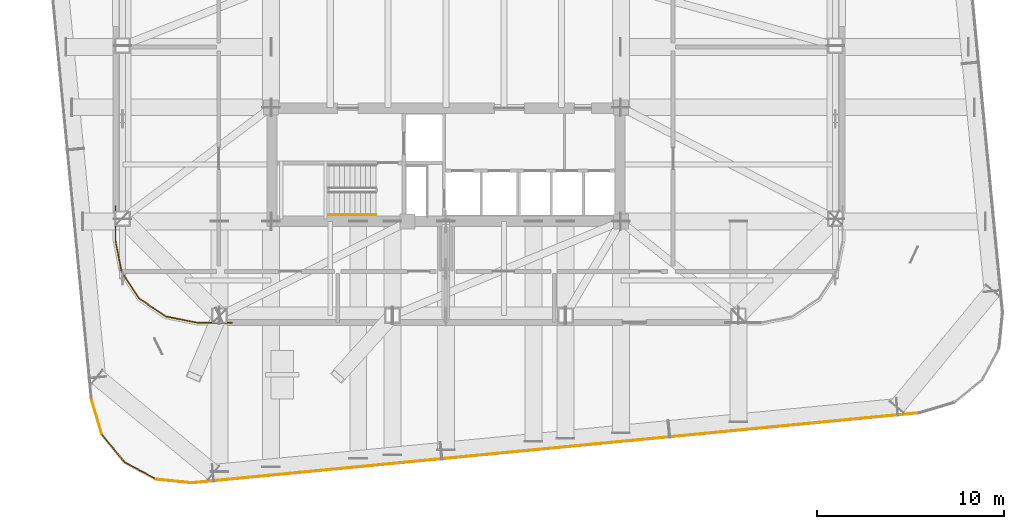
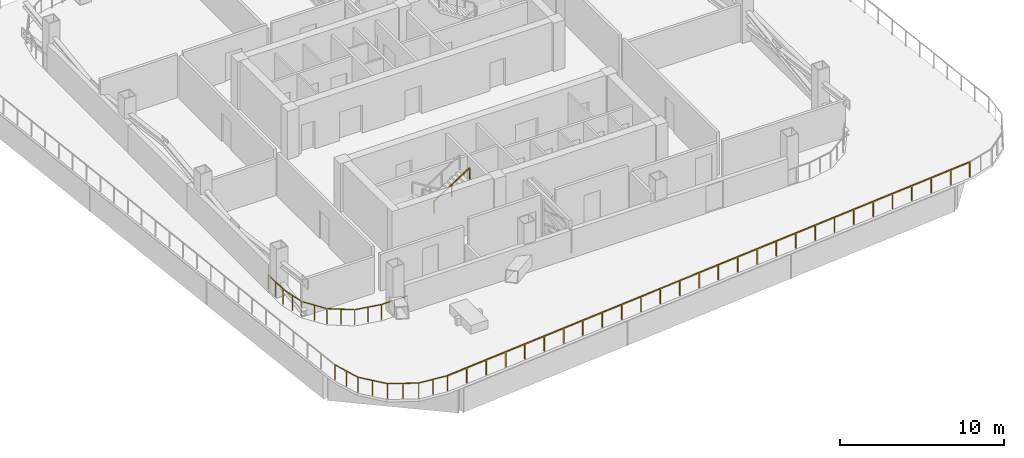
# One storey, part 11 of 15: 7 railings.
"""IFC4 building model written with IfcOpenShell, lengths in metres."""

from ifc_helpers import new_model, si_unit, direction, frame, origin, origin_2d, place, context, subcontext, project, spatial, rectangle, extrude, material, type_object, element, save


model = new_model("IFC4")

# Units and contexts
model_context = context("Model", 3, precision=1e-05, world=origin(), true_north=direction((0.0, 1.0)))
body_context = subcontext(model_context, "Body", "Model", "MODEL_VIEW")
ifc_project = project(units=[si_unit("LENGTHUNIT", "METRE"), si_unit("AREAUNIT", "SQUARE_METRE"), si_unit("VOLUMEUNIT", "CUBIC_METRE"), si_unit("PLANEANGLEUNIT", "RADIAN"), si_unit("MASSUNIT", "GRAM", prefix="KILO")], contexts=[model_context])

# Site, building, storey
site_placement = place(None, origin())
site = spatial("IfcSite", under=ifc_project, at=site_placement, CompositionType="ELEMENT")
building_placement = place(site_placement, origin())
building = spatial("IfcBuilding", under=site, at=building_placement, Name="Qhalaya Broadcast Tower", CompositionType="ELEMENT")
storey_placement = place(building_placement, frame((0.0, 0.0, 101.25)))
storey = spatial("IfcBuildingStorey", under=building, at=storey_placement, Name="L29", CompositionType="ELEMENT", Elevation=101.25)

# Railings
ifc_material = material(Name="Powder-Coated Galvanised Steel", Category="steel")
railing_type_1 = type_object("IfcRailingType", Name="Stair Wall Handrail 900", PredefinedType="HANDRAIL", material=ifc_material)
railing_1_placement = place(storey_placement, frame((-6.27001953125, -8.389892578125, 1.97998046875)))
element("IfcRailing", 1, at=railing_1_placement, inside=storey, type_object=railing_type_1, Name="L29 ST-2 Stair Handrail 2", PredefinedType="HANDRAIL", context=body_context, shape_type="SweptSolid", body=[
    extrude(rectangle(XDim=0.048095703125, YDim=0.048095703125, at=origin_2d()), frame((0.0, 0.0, 0.8759765625), z_axis=(0.841162588446, 0.0, 0.540782303519), x_axis=(0.0, 1.0, 0.0)), (0.0, 0.0, 1.0), 2.995849609375),
    extrude(rectangle(XDim=0.0419921875, YDim=0.0419921875, at=origin_2d()), origin(), (0.0, 0.0, 1.0), 0.849853515625),
    extrude(rectangle(XDim=0.0419921875, YDim=0.0419921875, at=origin_2d()), frame((1.260009765625, 0.0, 0.81005859375)), (0.0, 0.0, 1.0), 0.849853515625),
    extrude(rectangle(XDim=0.0419921875, YDim=0.0419921875, at=origin_2d()), frame((2.52001953125, 0.0, 1.6201171875)), (0.0, 0.0, 1.0), 0.849853515625),
])
railing_type_2 = type_object("IfcRailingType", Name="Terrace, Sky-Pool & Lookout Glass Balustrade 1150", PredefinedType="BALUSTRADE", material=ifc_material)
railing_2_placement = place(storey_placement, frame((25.39208984375, -18.9892578125, 0.0)))
element("IfcRailing", 2, at=railing_2_placement, inside=storey, type_object=railing_type_2, Name="L29 Perimeter Safety Balustrade BAL-TER1-01", PredefinedType="BALUSTRADE", context=body_context, shape_type="SweptSolid", body=[
    extrude(rectangle(XDim=0.048095703125, YDim=0.048095703125, at=origin_2d()), frame((0.0, 0.0, 1.1259765625), z_axis=(-0.9953962806, -0.095844898501, 0.0), x_axis=(0.095844898501, -0.9953962806, 0.0)), (0.0, 0.0, 1.0), 39.184326171875),
    extrude(rectangle(XDim=0.0419921875, YDim=0.0419921875, at=origin_2d()), origin(), (0.0, 0.0, 1.0), 1.099853515625),
    extrude(rectangle(XDim=0.0419921875, YDim=0.0419921875, at=origin_2d()), frame((-1.444580078125, -0.13916015625, 0.0)), (0.0, 0.0, 1.0), 1.099853515625),
    extrude(rectangle(XDim=0.0419921875, YDim=0.0419921875, at=origin_2d()), frame((-2.88916015625, -0.278076171875, 0.0)), (0.0, 0.0, 1.0), 1.099853515625),
    extrude(rectangle(XDim=0.0419921875, YDim=0.0419921875, at=origin_2d()), frame((-4.333740234375, -0.417236328125, 0.0)), (0.0, 0.0, 1.0), 1.099853515625),
    extrude(rectangle(XDim=0.0419921875, YDim=0.0419921875, at=origin_2d()), frame((-5.7783203125, -0.556396484375, 0.0)), (0.0, 0.0, 1.0), 1.099853515625),
    extrude(rectangle(XDim=0.0419921875, YDim=0.0419921875, at=origin_2d()), frame((-7.222900390625, -0.695556640625, 0.0)), (0.0, 0.0, 1.0), 1.099853515625),
    extrude(rectangle(XDim=0.0419921875, YDim=0.0419921875, at=origin_2d()), frame((-8.66748046875, -0.83447265625, 0.0)), (0.0, 0.0, 1.0), 1.099853515625),
    extrude(rectangle(XDim=0.0419921875, YDim=0.0419921875, at=origin_2d()), frame((-10.112060546875, -0.9736328125, 0.0)), (0.0, 0.0, 1.0), 1.099853515625),
    extrude(rectangle(XDim=0.0419921875, YDim=0.0419921875, at=origin_2d()), frame((-11.556640625, -1.11279296875, 0.0)), (0.0, 0.0, 1.0), 1.099853515625),
    extrude(rectangle(XDim=0.0419921875, YDim=0.0419921875, at=origin_2d()), frame((-13.001220703125, -1.251953125, 0.0)), (0.0, 0.0, 1.0), 1.099853515625),
    extrude(rectangle(XDim=0.0419921875, YDim=0.0419921875, at=origin_2d()), frame((-14.44580078125, -1.390869140625, 0.0)), (0.0, 0.0, 1.0), 1.099853515625),
    extrude(rectangle(XDim=0.0419921875, YDim=0.0419921875, at=origin_2d()), frame((-15.890380859375, -1.530029296875, 0.0)), (0.0, 0.0, 1.0), 1.099853515625),
    extrude(rectangle(XDim=0.0419921875, YDim=0.0419921875, at=origin_2d()), frame((-17.3349609375, -1.669189453125, 0.0)), (0.0, 0.0, 1.0), 1.099853515625),
    extrude(rectangle(XDim=0.0419921875, YDim=0.0419921875, at=origin_2d()), frame((-18.779541015625, -1.808349609375, 0.0)), (0.0, 0.0, 1.0), 1.099853515625),
    extrude(rectangle(XDim=0.0419921875, YDim=0.0419921875, at=origin_2d()), frame((-20.224365234375, -1.947265625, 0.0)), (0.0, 0.0, 1.0), 1.099853515625),
    extrude(rectangle(XDim=0.0419921875, YDim=0.0419921875, at=origin_2d()), frame((-21.6689453125, -2.08642578125, 0.0)), (0.0, 0.0, 1.0), 1.099853515625),
    extrude(rectangle(XDim=0.0419921875, YDim=0.0419921875, at=origin_2d()), frame((-23.113525390625, -2.2255859375, 0.0)), (0.0, 0.0, 1.0), 1.099853515625),
    extrude(rectangle(XDim=0.0419921875, YDim=0.0419921875, at=origin_2d()), frame((-24.55810546875, -2.36474609375, 0.0)), (0.0, 0.0, 1.0), 1.099853515625),
    extrude(rectangle(XDim=0.0419921875, YDim=0.0419921875, at=origin_2d()), frame((-26.002685546875, -2.503662109375, 0.0)), (0.0, 0.0, 1.0), 1.099853515625),
    extrude(rectangle(XDim=0.0419921875, YDim=0.0419921875, at=origin_2d()), frame((-27.447265625, -2.642822265625, 0.0)), (0.0, 0.0, 1.0), 1.099853515625),
    extrude(rectangle(XDim=0.0419921875, YDim=0.0419921875, at=origin_2d()), frame((-28.891845703125, -2.781982421875, 0.0)), (0.0, 0.0, 1.0), 1.099853515625),
    extrude(rectangle(XDim=0.0419921875, YDim=0.0419921875, at=origin_2d()), frame((-30.33642578125, -2.921142578125, 0.0)), (0.0, 0.0, 1.0), 1.099853515625),
    extrude(rectangle(XDim=0.0419921875, YDim=0.0419921875, at=origin_2d()), frame((-31.781005859375, -3.06005859375, 0.0)), (0.0, 0.0, 1.0), 1.099853515625),
    extrude(rectangle(XDim=0.0419921875, YDim=0.0419921875, at=origin_2d()), frame((-33.2255859375, -3.19921875, 0.0)), (0.0, 0.0, 1.0), 1.099853515625),
    extrude(rectangle(XDim=0.0419921875, YDim=0.0419921875, at=origin_2d()), frame((-34.670166015625, -3.33837890625, 0.0)), (0.0, 0.0, 1.0), 1.099853515625),
    extrude(rectangle(XDim=0.0419921875, YDim=0.0419921875, at=origin_2d()), frame((-36.11474609375, -3.4775390625, 0.0)), (0.0, 0.0, 1.0), 1.099853515625),
    extrude(rectangle(XDim=0.0419921875, YDim=0.0419921875, at=origin_2d()), frame((-37.559326171875, -3.616455078125, 0.0)), (0.0, 0.0, 1.0), 1.099853515625),
    extrude(rectangle(XDim=0.0419921875, YDim=0.0419921875, at=origin_2d()), frame((-39.00390625, -3.755615234375, 0.0)), (0.0, 0.0, 1.0), 1.099853515625),
])
railing_3_placement = place(storey_placement, frame((-13.61181640625, -22.744873046875, 0.0)))
element("IfcRailing", 3, at=railing_3_placement, inside=storey, type_object=railing_type_2, Name="L29 Perimeter Safety Balustrade BAL-TER1-02", PredefinedType="BALUSTRADE", context=body_context, shape_type="SweptSolid", body=[
    extrude(rectangle(XDim=0.048095703125, YDim=0.048095703125, at=origin_2d()), frame((0.0, 0.0, 1.1259765625), z_axis=(-0.994979325079, 0.100080680776, 0.0), x_axis=(-0.100080680776, -0.994979325079, 0.0)), (0.0, 0.0, 1.0), 1.92724609375),
    extrude(rectangle(XDim=0.0419921875, YDim=0.0419921875, at=origin_2d()), origin(), (0.0, 0.0, 1.0), 1.099853515625),
    extrude(rectangle(XDim=0.0419921875, YDim=0.0419921875, at=origin_2d()), frame((-0.958740234375, 0.096435546875, 0.0)), (0.0, 0.0, 1.0), 1.099853515625),
    extrude(rectangle(XDim=0.0419921875, YDim=0.0419921875, at=origin_2d()), frame((-1.91748046875, 0.19287109375, 0.0)), (0.0, 0.0, 1.0), 1.099853515625),
])
railing_4_placement = place(storey_placement, frame((-15.529296875, -22.552001953125, 0.0)))
element("IfcRailing", 4, at=railing_4_placement, inside=storey, type_object=railing_type_2, Name="L29 Perimeter Safety Balustrade BAL-TER1-03", PredefinedType="BALUSTRADE", context=body_context, shape_type="SweptSolid", body=[
    extrude(rectangle(XDim=0.048095703125, YDim=0.048095703125, at=origin_2d()), frame((0.0, 0.0, 1.1259765625), z_axis=(-0.880858878849, 0.473378955545, 0.0), x_axis=(-0.473378955545, -0.880858878849, 0.0)), (0.0, 0.0, 1.0), 1.919189453125),
    extrude(rectangle(XDim=0.0419921875, YDim=0.0419921875, at=origin_2d()), origin(), (0.0, 0.0, 1.0), 1.099853515625),
    extrude(rectangle(XDim=0.0419921875, YDim=0.0419921875, at=origin_2d()), frame((-0.84521484375, 0.4541015625, 0.0)), (0.0, 0.0, 1.0), 1.099853515625),
    extrude(rectangle(XDim=0.0419921875, YDim=0.0419921875, at=origin_2d()), frame((-1.6904296875, 0.908447265625, 0.0)), (0.0, 0.0, 1.0), 1.099853515625),
])
railing_5_placement = place(storey_placement, frame((-17.2197265625, -21.6435546875, 0.0)))
element("IfcRailing", 5, at=railing_5_placement, inside=storey, type_object=railing_type_2, Name="L29 Perimeter Safety Balustrade BAL-TER1-04", PredefinedType="BALUSTRADE", context=body_context, shape_type="SweptSolid", body=[
    extrude(rectangle(XDim=0.048095703125, YDim=0.048095703125, at=origin_2d()), frame((0.0, 0.0, 1.1259765625), z_axis=(-0.632683386092, 0.774410571314, 0.0), x_axis=(-0.774410571314, -0.632683386092, 0.0)), (0.0, 0.0, 1.0), 1.9189453125),
    extrude(rectangle(XDim=0.0419921875, YDim=0.0419921875, at=origin_2d()), origin(), (0.0, 0.0, 1.0), 1.099853515625),
    extrude(rectangle(XDim=0.0419921875, YDim=0.0419921875, at=origin_2d()), frame((-0.60693359375, 0.7431640625, 0.0)), (0.0, 0.0, 1.0), 1.099853515625),
    extrude(rectangle(XDim=0.0419921875, YDim=0.0419921875, at=origin_2d()), frame((-1.214111328125, 1.486083984375, 0.0)), (0.0, 0.0, 1.0), 1.099853515625),
])
railing_6_placement = place(storey_placement, frame((-18.433837890625, -20.157470703125, 0.0)))
element("IfcRailing", 6, at=railing_6_placement, inside=storey, type_object=railing_type_2, Name="L29 Perimeter Safety Balustrade BAL-TER1-05", PredefinedType="BALUSTRADE", context=body_context, shape_type="SweptSolid", body=[
    extrude(rectangle(XDim=0.048095703125, YDim=0.048095703125, at=origin_2d()), frame((0.0, 0.0, 1.1259765625), z_axis=(-0.288196177763, 0.957571388004, 0.0), x_axis=(-0.957571388004, -0.288196177763, 0.0)), (0.0, 0.0, 1.0), 1.92724609375),
    extrude(rectangle(XDim=0.0419921875, YDim=0.0419921875, at=origin_2d()), origin(), (0.0, 0.0, 1.0), 1.099853515625),
    extrude(rectangle(XDim=0.0419921875, YDim=0.0419921875, at=origin_2d()), frame((-0.27783203125, 0.9228515625, 0.0)), (0.0, 0.0, 1.0), 1.099853515625),
    extrude(rectangle(XDim=0.0419921875, YDim=0.0419921875, at=origin_2d()), frame((-0.555419921875, 1.845458984375, 0.0)), (0.0, 0.0, 1.0), 1.099853515625),
])
railing_7_placement = place(storey_placement, frame((-11.4619140625, -14.169921875, 0.0)))
element("IfcRailing", 7, at=railing_7_placement, inside=storey, type_object=railing_type_2, Name="L29 Rounded Corner Perimeter Guard 02", PredefinedType="BALUSTRADE", context=body_context, shape_type="SweptSolid", body=[
    extrude(rectangle(XDim=0.048095703125, YDim=0.048095703125, at=origin_2d()), frame((0.0, 0.0, 1.1259765625), z_axis=(-1.0, 0.0, 0.0), x_axis=(0.0, -1.0, 0.0)), (0.0, 0.0, 1.0), 1.827392578125),
    extrude(rectangle(XDim=0.048095703125, YDim=0.048095703125, at=origin_2d()), frame((-1.884521484375, 0.005615234375, 1.1259765625), z_axis=(-0.980803832953, 0.194997028864, 0.0), x_axis=(-0.194997028864, -0.980803832953, 0.0)), (0.0, 0.0, 1.0), 1.66259765625),
    extrude(rectangle(XDim=0.048095703125, YDim=0.048095703125, at=origin_2d()), frame((-3.5673828125, 0.3515625, 1.1259765625), z_axis=(-0.831456085426, 0.555590476887, 0.0), x_axis=(-0.555590476887, -0.831456085426, 0.0)), (0.0, 0.0, 1.0), 1.650390625),
    extrude(rectangle(XDim=0.048095703125, YDim=0.048095703125, at=origin_2d()), frame((-4.979736328125, 1.308349609375, 1.1259765625), z_axis=(-0.555590476887, 0.831456085426, 0.0), x_axis=(-0.831456085426, -0.555590476887, 0.0)), (0.0, 0.0, 1.0), 1.650390625),
    extrude(rectangle(XDim=0.048095703125, YDim=0.048095703125, at=origin_2d()), frame((-5.918212890625, 2.73291015625, 1.1259765625), z_axis=(-0.195024175165, 0.980798435511, 0.0), x_axis=(-0.980798435511, -0.195024175165, 0.0)), (0.0, 0.0, 1.0), 1.662353515625),
    extrude(rectangle(XDim=0.048095703125, YDim=0.048095703125, at=origin_2d()), frame((-6.248046875, 4.42041015625, 1.1259765625), z_axis=(0.0, 1.0, 0.0), x_axis=(-1.0, 0.0, 0.0)), (0.0, 0.0, 1.0), 1.827392578125),
    extrude(rectangle(XDim=0.0419921875, YDim=0.0419921875, at=origin_2d()), origin(), (0.0, 0.0, 1.0), 1.099853515625),
    extrude(rectangle(XDim=0.0419921875, YDim=0.0419921875, at=origin_2d()), frame((-0.92822265625, 0.0, 0.0)), (0.0, 0.0, 1.0), 1.099853515625),
    extrude(rectangle(XDim=0.0419921875, YDim=0.0419921875, at=origin_2d()), frame((-1.856201171875, 0.0, 0.0)), (0.0, 0.0, 1.0), 1.099853515625),
    extrude(rectangle(XDim=0.0419921875, YDim=0.0419921875, at=origin_2d()), frame((-2.69970703125, 0.167724609375, 0.0)), (0.0, 0.0, 1.0), 1.099853515625),
    extrude(rectangle(XDim=0.0419921875, YDim=0.0419921875, at=origin_2d()), frame((-3.54345703125, 0.33544921875, 0.0)), (0.0, 0.0, 1.0), 1.099853515625),
    extrude(rectangle(XDim=0.0419921875, YDim=0.0419921875, at=origin_2d()), frame((-4.25341796875, 0.81005859375, 0.0)), (0.0, 0.0, 1.0), 1.099853515625),
    extrude(rectangle(XDim=0.0419921875, YDim=0.0419921875, at=origin_2d()), frame((-4.963623046875, 1.284423828125, 0.0)), (0.0, 0.0, 1.0), 1.099853515625),
    extrude(rectangle(XDim=0.0419921875, YDim=0.0419921875, at=origin_2d()), frame((-5.43798828125, 1.99462890625, 0.0)), (0.0, 0.0, 1.0), 1.099853515625),
    extrude(rectangle(XDim=0.0419921875, YDim=0.0419921875, at=origin_2d()), frame((-5.91259765625, 2.70458984375, 0.0)), (0.0, 0.0, 1.0), 1.099853515625),
    extrude(rectangle(XDim=0.0419921875, YDim=0.0419921875, at=origin_2d()), frame((-6.080322265625, 3.548095703125, 0.0)), (0.0, 0.0, 1.0), 1.099853515625),
    extrude(rectangle(XDim=0.0419921875, YDim=0.0419921875, at=origin_2d()), frame((-6.248046875, 4.3916015625, 0.0)), (0.0, 0.0, 1.0), 1.099853515625),
    extrude(rectangle(XDim=0.0419921875, YDim=0.0419921875, at=origin_2d()), frame((-6.248046875, 5.31982421875, 0.0)), (0.0, 0.0, 1.0), 1.099853515625),
    extrude(rectangle(XDim=0.0419921875, YDim=0.0419921875, at=origin_2d()), frame((-6.248046875, 6.247802734375, 0.0)), (0.0, 0.0, 1.0), 1.099853515625),
])

save(model, "model.ifc")
